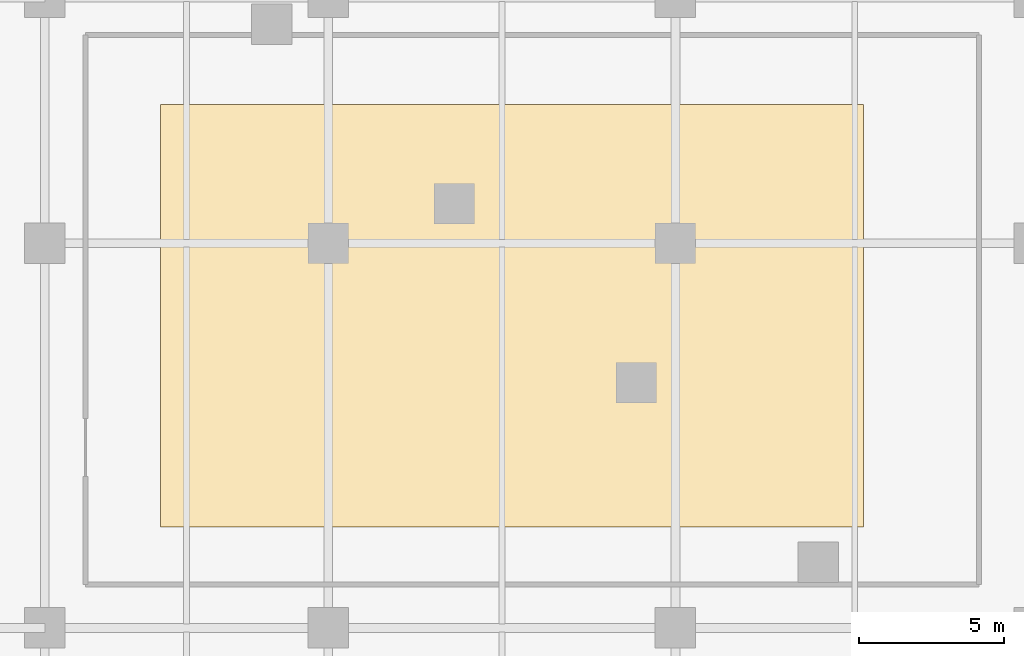
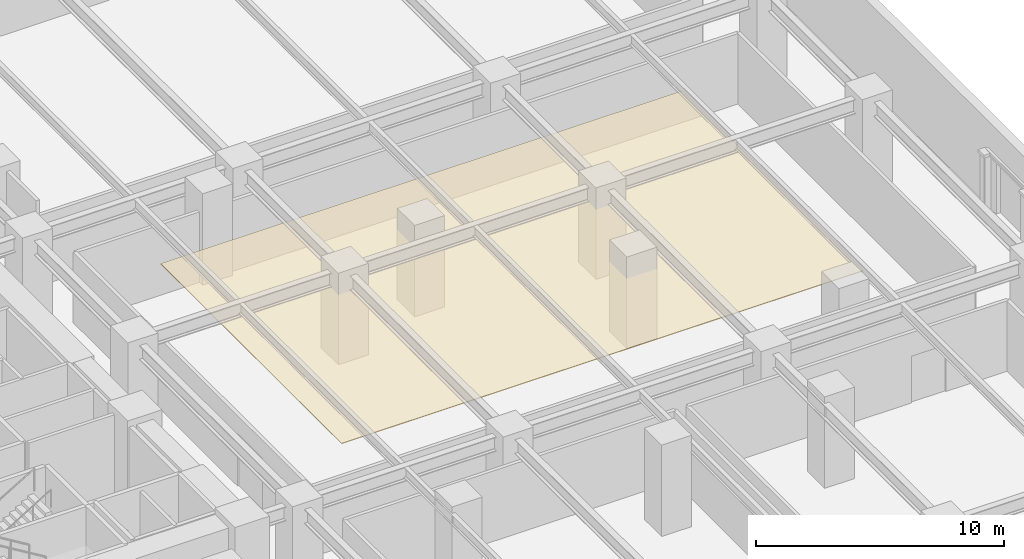
# One storey, part 38 of 42: 1 covering.
"""IFC4 building model written with IfcOpenShell, lengths in metres."""

from ifc_helpers import new_model, si_unit, direction, frame, origin, place, context, subcontext, project, spatial, polyline, outline, extrude, material, layer, layer_set, type_object, element, save


model = new_model("IFC4")

# Units and contexts
model_context = context("Model", 3, precision=1e-05, world=origin(), true_north=direction((0.0, 1.0)))
body_context = subcontext(model_context, "Body", "Model", "MODEL_VIEW")
ifc_project = project(units=[si_unit("LENGTHUNIT", "METRE"), si_unit("AREAUNIT", "SQUARE_METRE"), si_unit("VOLUMEUNIT", "CUBIC_METRE"), si_unit("PLANEANGLEUNIT", "RADIAN"), si_unit("MASSUNIT", "GRAM", prefix="KILO")], contexts=[model_context])

# Site, building, storey
site_placement = place(None, origin())
site = spatial("IfcSite", under=ifc_project, at=site_placement, CompositionType="ELEMENT")
building_placement = place(site_placement, origin())
building = spatial("IfcBuilding", under=site, at=building_placement, Name="Narakoshi Arena Tower", CompositionType="ELEMENT")
storey_placement = place(building_placement, origin())
storey = spatial("IfcBuildingStorey", under=building, at=storey_placement, Name="L00", CompositionType="ELEMENT", Elevation=0.0)

# Covering
ifc_material = material(Name="Slatted oak acoustic timber baffle", Category="wood")
ifc_layer = layer(ifc_material, 0.034912109375)
ifc_layer_set = layer_set([ifc_layer], Name="Slatted oak acoustic timber baffle")
covering_type = type_object("IfcCoveringType", Name="COV-CLG-WD35", PredefinedType="CEILING", material=ifc_layer_set)
covering_placement = place(storey_placement, frame((0.0, 0.0, 3.39990234375)))
element("IfcCovering", 1, at=covering_placement, inside=storey, type_object=covering_type, Name="L00 Main Lobby Slatted Oak Acoustic Ceiling", PredefinedType="CEILING", context=body_context, shape_type="SweptSolid", body=[
    extrude(outline(polyline([(92.199951171875, 38.199951171875), (116.5, 38.199951171875), (116.5, 52.800048828125), (92.199951171875, 52.800048828125), (92.199951171875, 38.199951171875)])), origin(), (0.0, 0.0, 1.0), 0.03515625),
])

save(model, "model.ifc")
